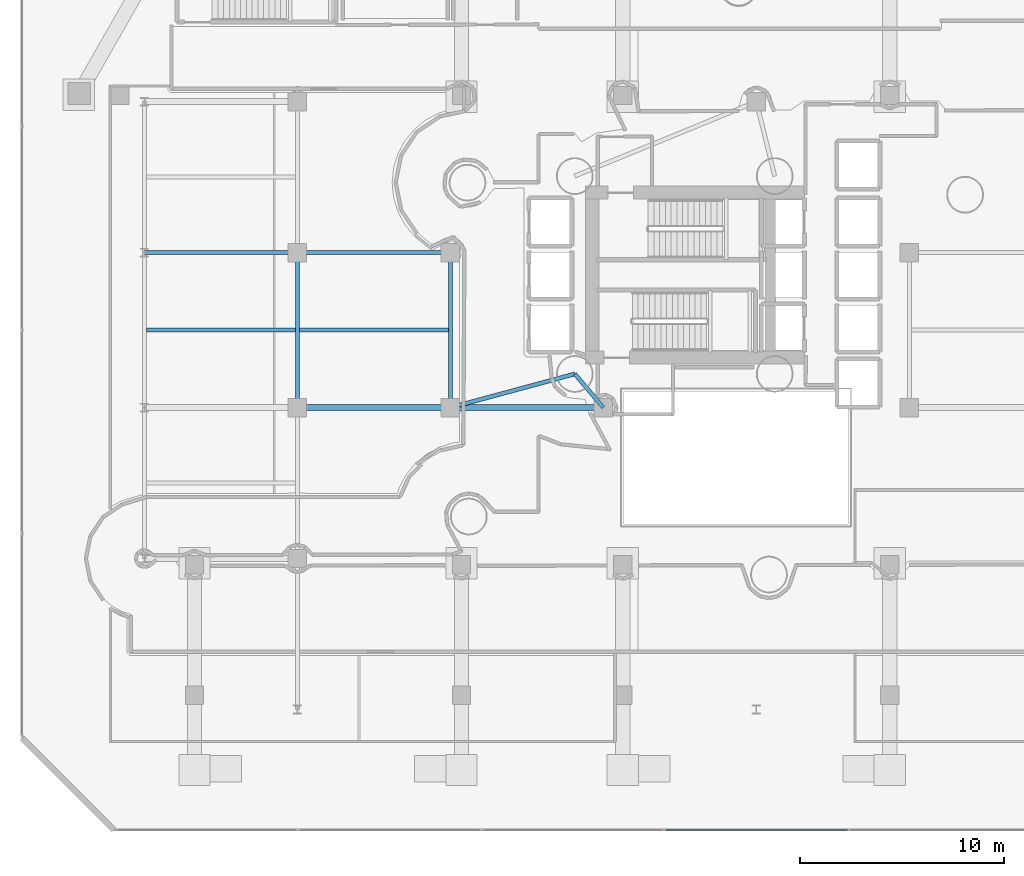
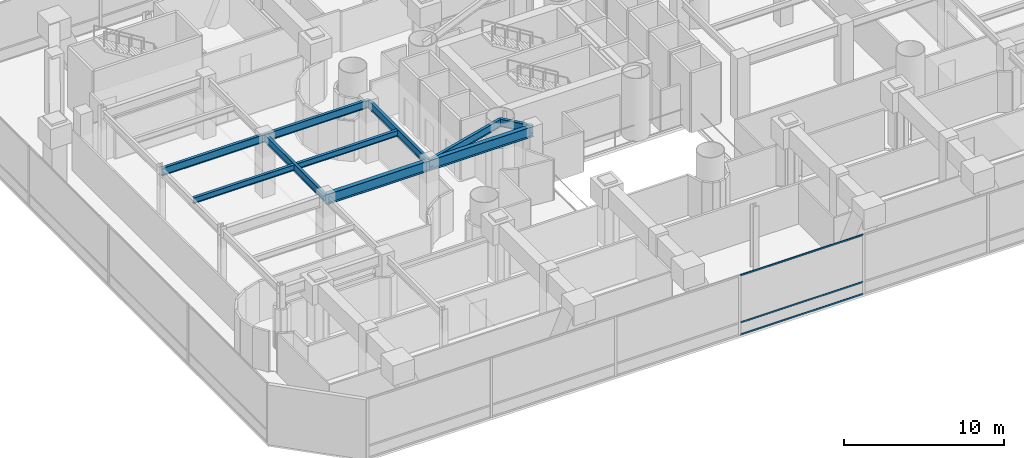
# One storey, part 11 of 45: 10 beams, 3 members, 1 element without a shape of its own.
"""IFC4 building model written with IfcOpenShell, lengths in metres."""

from ifc_helpers import new_model, si_unit, direction, frame, origin, origin_2d, place, context, subcontext, project, spatial, hollow_rectangle, i_section, extrude, material, layer, layer_set, material_profile, profile_set, type_object, element, aggregate, save


model = new_model("IFC4")

# Units and contexts
model_context = context("Model", 3, precision=1e-05, world=origin(), true_north=direction((0.0, 1.0)))
body_context = subcontext(model_context, "Body", "Model", "MODEL_VIEW")
ifc_project = project(units=[si_unit("LENGTHUNIT", "METRE"), si_unit("AREAUNIT", "SQUARE_METRE"), si_unit("VOLUMEUNIT", "CUBIC_METRE"), si_unit("PLANEANGLEUNIT", "RADIAN"), si_unit("MASSUNIT", "GRAM", prefix="KILO")], contexts=[model_context])

# Site, building, storey
site_placement = place(None, origin())
site = spatial("IfcSite", under=ifc_project, at=site_placement, CompositionType="ELEMENT")
building_placement = place(site_placement, origin())
building = spatial("IfcBuilding", under=site, at=building_placement, Name="Qianvela Tower", CompositionType="ELEMENT")
storey_placement = place(building_placement, frame((0.0, 0.0, 11.0)))
storey = spatial("IfcBuildingStorey", under=building, at=storey_placement, Name="L02", CompositionType="ELEMENT", Elevation=11.0)

# Beams
ifc_material_1 = material(Name="Steel Q355B", Category="steel")
ifc_material_profile_1 = material_profile(ifc_material_1, i_section(OverallWidth=0.199951171875, OverallDepth=0.449951171875, WebThickness=0.009033203125, FlangeThickness=0.013916015625, at=origin_2d()), Name="HN450x200x9x14")
ifc_profile_set_1 = profile_set([ifc_material_profile_1], Name="Steel Q355B")
beam_type_1 = type_object("IfcBeamType", Name="BM-HN450-JOIST", PredefinedType="JOIST", material=ifc_profile_set_1)
for number, where, z_axis, x_axis, name in (
    (1, (7.595947265625, 26.0, 4.35302734375), (1.0, 0.0, 0.0), (0.0, 1.0, 0.0), "L02 Secondary Floor Joist 43"),
    (2, (15.095947265625, 26.0, 4.35302734375), (1.0, 0.0, 0.0), (0.0, 1.0, 0.0), "L02 Secondary Floor Joist 45"),
):
    element("IfcBeam", number, at=place(storey_placement, frame(where, z_axis=z_axis, x_axis=x_axis)), inside=storey, type_object=beam_type_1, Name=name, PredefinedType="JOIST", context=body_context, shape_type="SweptSolid", body=[
        extrude(i_section(OverallWidth=0.199951171875, OverallDepth=0.449951171875, WebThickness=0.009033203125, FlangeThickness=0.013916015625, at=origin_2d()), origin(), (0.0, 0.0, 1.0), 7.30810546875),
    ])
ifc_material_2 = material(Name="Steel Q355B", Category="steel")
ifc_material_profile_2 = material_profile(ifc_material_2, i_section(OverallWidth=0.199951171875, OverallDepth=0.60009765625, WebThickness=0.010986328125, FlangeThickness=0.01708984375, at=origin_2d()), Name="HN600x200x11x17")
ifc_profile_set_2 = profile_set([ifc_material_profile_2], Name="Steel Q355B")
beam_type_2 = type_object("IfcBeamType", Name="BM-HN600-GIRD", PredefinedType="BEAM", material=ifc_profile_set_2)
for number, where, z_axis, x_axis, name in (
    (3, (7.5, 29.800048828125, 4.278076171875), (1.0, 0.0, 0.0), (0.0, 1.0, 0.0), "L02 East-West Grid Girder 9"),
    (4, (15.0, 29.800048828125, 4.278076171875), (1.0, 0.0, 0.0), (0.0, 1.0, 0.0), "L02 East-West Grid Girder 10"),
):
    element("IfcBeam", number, at=place(storey_placement, frame(where, z_axis=z_axis, x_axis=x_axis)), inside=storey, type_object=beam_type_2, Name=name, PredefinedType="BEAM", context=body_context, shape_type="SweptSolid", body=[
        extrude(i_section(OverallWidth=0.199951171875, OverallDepth=0.60009765625, WebThickness=0.010986328125, FlangeThickness=0.01708984375, at=origin_2d()), origin(), (0.0, 0.0, 1.0), 7.5),
    ])
for number, where, z_axis, x_axis, name in (
    (5, (15.0, 22.199951171875, 4.278076171875), (0.0, 1.0, 0.0), (-1.0, 0.0, 0.0), "L02 North-South Grid Girder 21"),
    (6, (22.5, 22.199951171875, 4.278076171875), (0.0, 1.0, 0.0), (-1.0, 0.0, 0.0), "L02 North-South Grid Girder 24"),
):
    element("IfcBeam", number, at=place(storey_placement, frame(where, z_axis=z_axis, x_axis=x_axis)), inside=storey, type_object=beam_type_2, Name=name, PredefinedType="BEAM", context=body_context, shape_type="SweptSolid", body=[
        extrude(i_section(OverallWidth=0.199951171875, OverallDepth=0.60009765625, WebThickness=0.010986328125, FlangeThickness=0.01708984375, at=origin_2d()), origin(), (0.0, 0.0, 1.0), 7.60009765625),
    ])
beam_1_placement = place(storey_placement, frame((28.60009765625, 23.85009765625, 4.278076171875), z_axis=(0.646917812917, -0.762559730992, 0.0), x_axis=(0.762559730992, 0.646917812917, 0.0)))
element("IfcBeam", 7, at=beam_1_placement, inside=storey, type_object=beam_type_2, Name="L02 Core Tie Girder 37", PredefinedType="BEAM", context=body_context, shape_type="SweptSolid", body=[
    extrude(i_section(OverallWidth=0.199951171875, OverallDepth=0.60009765625, WebThickness=0.010986328125, FlangeThickness=0.01708984375, at=origin_2d()), origin(), (0.0, 0.0, 1.0), 2.1640625),
])
beam_2_placement = place(storey_placement, frame((28.60009765625, 23.85009765625, 4.278076171875), z_axis=(-0.96530472097, -0.26112601493, 0.0), x_axis=(0.26112601493, -0.96530472097, 0.0)))
element("IfcBeam", 8, at=beam_2_placement, inside=storey, type_object=beam_type_2, Name="L02 Core Tie Girder 38", PredefinedType="BEAM", context=body_context, shape_type="SweptSolid", body=[
    extrude(i_section(OverallWidth=0.199951171875, OverallDepth=0.60009765625, WebThickness=0.010986328125, FlangeThickness=0.01708984375, at=origin_2d()), origin(), (0.0, 0.0, 1.0), 6.3193359375),
])
ifc_material_3 = material(Name="Steel Q355B", Category="steel")
ifc_material_profile_3 = material_profile(ifc_material_3, i_section(OverallWidth=0.300048828125, OverallDepth=0.800048828125, WebThickness=0.013916015625, FlangeThickness=0.02587890625, at=origin_2d()), Name="HN800x300x14x26")
ifc_profile_set_3 = profile_set([ifc_material_profile_3], Name="Steel Q355B")
beam_type_3 = type_object("IfcBeamType", Name="BM-HN800-SPAND", PredefinedType="SPANDREL", material=ifc_profile_set_3)
for number, where, z_axis, x_axis, name in (
    (9, (15.0, 22.199951171875, 4.177978515625), (1.0, 0.0, 0.0), (0.0, 1.0, 0.0), "L02 East-West Grid Girder 4"),
    (10, (22.5, 22.199951171875, 4.177978515625), (1.0, 0.0, 0.0), (0.0, 1.0, 0.0), "L02 East-West Grid Girder 5"),
):
    element("IfcBeam", number, at=place(storey_placement, frame(where, z_axis=z_axis, x_axis=x_axis)), inside=storey, type_object=beam_type_3, Name=name, PredefinedType="SPANDREL", context=body_context, shape_type="SweptSolid", body=[
        extrude(i_section(OverallWidth=0.300048828125, OverallDepth=0.800048828125, WebThickness=0.013916015625, FlangeThickness=0.02587890625, at=origin_2d()), origin(), (0.0, 0.0, 1.0), 7.5),
    ])

# Curtain wall, members
ifc_material_4 = material(Name="Anodised Architectural Aluminium and Low-E Glass", Category="aluminium")
ifc_layer = layer(ifc_material_4, 0.179931640625)
ifc_layer_set = layer_set([ifc_layer], Name="Anodised Architectural Aluminium and Low-E Glass")
curtain_wall_type = type_object("IfcCurtainWallType", Name="CW-COMMONS", PredefinedType="USERDEFINED", material=ifc_layer_set)
curtain_wall_placement = place(storey_placement, origin())
curtain_wall = element("IfcCurtainWall", 11, at=curtain_wall_placement, inside=storey, type_object=curtain_wall_type, Name="L02 CW-COMMONS Curtain Wall 01", ObjectType="CURTAIN_WALL_SYSTEM", PredefinedType="USERDEFINED")
ifc_material_5 = material(Name="Anodised Architectural Aluminium 6063-T6", Category="aluminium")
ifc_material_profile_4 = material_profile(ifc_material_5, hollow_rectangle(XDim=0.06005859375, YDim=0.114990234375, WallThickness=0.00390625, at=origin_2d()), Name="ALU-TRAN-60x115")
ifc_profile_set_4 = profile_set([ifc_material_profile_4], Name="Anodised Architectural Aluminium 6063-T6")
member_type = type_object("IfcMemberType", Name="CW-COMMONS-TRAN", PredefinedType="USERDEFINED", material=ifc_profile_set_4)
member_1_placement = place(storey_placement, frame((33.042236328125, 1.5, 0.030029296875), z_axis=(1.0, 0.0, 0.0), x_axis=(0.0, 1.0, 0.0)))
member_1 = element("IfcMember", 12, at=member_1_placement, type_object=member_type, Name="CW-2 transom 4.1", ObjectType="TRANSOM", PredefinedType="USERDEFINED", context=body_context, shape_type="SweptSolid", body=[
    extrude(hollow_rectangle(XDim=0.06005859375, YDim=0.114990234375, WallThickness=0.00390625, at=origin_2d()), origin(), (0.0, 0.0, 1.0), 8.91552734375),
])
member_2_placement = place(storey_placement, frame((33.042236328125, 1.5, 0.949951171875), z_axis=(1.0, 0.0, 0.0), x_axis=(0.0, 1.0, 0.0)))
member_2 = element("IfcMember", 13, at=member_2_placement, type_object=member_type, Name="CW-2 transom 4.2", ObjectType="TRANSOM", PredefinedType="USERDEFINED", context=body_context, shape_type="SweptSolid", body=[
    extrude(hollow_rectangle(XDim=0.06005859375, YDim=0.114990234375, WallThickness=0.00390625, at=origin_2d()), origin(), (0.0, 0.0, 1.0), 8.91552734375),
])
member_3_placement = place(storey_placement, frame((33.042236328125, 1.5, 4.550048828125), z_axis=(1.0, 0.0, 0.0), x_axis=(0.0, 1.0, 0.0)))
member_3 = element("IfcMember", 14, at=member_3_placement, type_object=member_type, Name="CW-2 transom 4.3", ObjectType="TRANSOM", PredefinedType="USERDEFINED", context=body_context, shape_type="SweptSolid", body=[
    extrude(hollow_rectangle(XDim=0.06005859375, YDim=0.114990234375, WallThickness=0.00390625, at=origin_2d()), origin(), (0.0, 0.0, 1.0), 8.91552734375),
])
aggregate(curtain_wall, [member_1, member_2, member_3])

save(model, "model.ifc")
